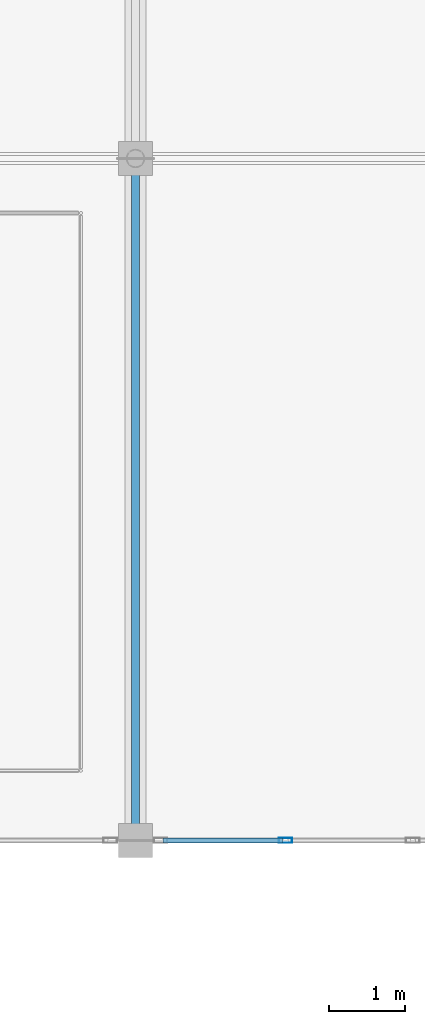
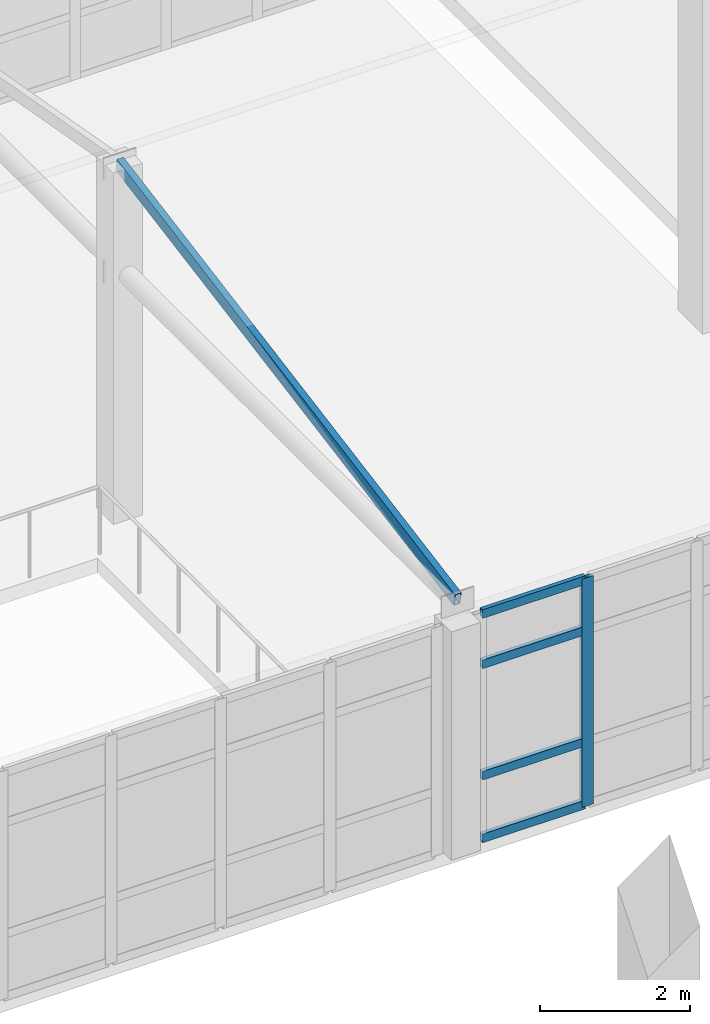
# One storey, part 47 of 156: 6 members, 1 element without a shape of its own.
"""IFC4 building model written with IfcOpenShell, lengths in metres."""

from ifc_helpers import new_model, si_unit, direction, frame, origin, origin_2d, place, context, subcontext, project, spatial, hollow_rectangle, extrude, material, layer, layer_set, material_profile, profile_set, type_object, element, aggregate, save


model = new_model("IFC4")

# Units and contexts
model_context = context("Model", 3, precision=1e-05, world=origin(), true_north=direction((0.0, 1.0)))
body_context = subcontext(model_context, "Body", "Model", "MODEL_VIEW")
ifc_project = project(units=[si_unit("LENGTHUNIT", "METRE"), si_unit("AREAUNIT", "SQUARE_METRE"), si_unit("VOLUMEUNIT", "CUBIC_METRE"), si_unit("PLANEANGLEUNIT", "RADIAN"), si_unit("MASSUNIT", "GRAM", prefix="KILO")], contexts=[model_context])

# Site, building, storey
site_placement = place(None, origin())
site = spatial("IfcSite", under=ifc_project, at=site_placement, CompositionType="ELEMENT")
building_placement = place(site_placement, origin())
building = spatial("IfcBuilding", under=site, at=building_placement, Name="Ornek Quay Market", CompositionType="ELEMENT")
storey_placement = place(building_placement, frame((0.0, 0.0, 4.5)))
storey = spatial("IfcBuildingStorey", under=building, at=storey_placement, Name="L01", CompositionType="ELEMENT", Elevation=4.5)

# Curtain wall, members
ifc_material_1 = material(Name="Anodised bronze aluminium and triple low-e glass", Category="aluminium")
ifc_layer = layer(ifc_material_1, 0.199951171875, Name="Anodised bronze aluminium and triple low-e glass", Category="aluminium")
ifc_layer_set = layer_set([ifc_layer], Name="Anodised bronze aluminium and triple low-e glass")
curtain_wall_type = type_object("IfcCurtainWallType", Name="CW-CONC-MOD1800", PredefinedType="USERDEFINED", material=ifc_layer_set)
curtain_wall_placement = place(storey_placement, origin())
curtain_wall = element("IfcCurtainWall", 1, at=curtain_wall_placement, inside=storey, type_object=curtain_wall_type, Name="Curtain wall CW-022", ObjectType="CURTAIN WALL", PredefinedType="USERDEFINED")
ifc_material_2 = material(Name="Anodised aluminium 6063-T6", Category="aluminium")
ifc_material_profile_1 = material_profile(ifc_material_2, hollow_rectangle(XDim=0.06494140625, YDim=0.179931640625, WallThickness=0.00439453125, at=origin_2d()), Name="CW-MUL-65x180", Category="aluminium")
ifc_profile_set_1 = profile_set([ifc_material_profile_1], Name="Anodised aluminium 6063-T6")
member_type_1 = type_object("IfcMemberType", Name="CW-MUL-65x180", PredefinedType="MULLION", material=ifc_profile_set_1)
member_1_placement = place(storey_placement, frame((46.97998046875, 92.0, 0.0), z_axis=(0.0, 0.0, 1.0), x_axis=(0.0, 1.0, 0.0)))
member_1 = element("IfcMember", 2, at=member_1_placement, type_object=member_type_1, Name="CW-022 mullion 2", PredefinedType="MULLION", context=body_context, shape_type="SweptSolid", body=[
    extrude(hollow_rectangle(XDim=0.06494140625, YDim=0.179931640625, WallThickness=0.00439453125, at=origin_2d()), origin(), (0.0, 0.0, 1.0), 3.7099609375),
])
ifc_material_profile_2 = material_profile(ifc_material_2, hollow_rectangle(XDim=0.06494140625, YDim=0.139892578125, WallThickness=0.00439453125, at=origin_2d()), Name="CW-TRN-65x140", Category="aluminium")
ifc_profile_set_2 = profile_set([ifc_material_profile_2], Name="Anodised aluminium 6063-T6")
member_type_2 = type_object("IfcMemberType", Name="CW-TRN-65x140", PredefinedType="USERDEFINED", material=ifc_profile_set_2)
member_2_placement = place(storey_placement, frame((45.364990234375, 92.0, 0.032470703125), z_axis=(1.0, 0.0, 0.0), x_axis=(0.0, 1.0, 0.0)))
member_2 = element("IfcMember", 3, at=member_2_placement, type_object=member_type_2, Name="CW-022 transom 1.1", ObjectType="TRANSOM", PredefinedType="USERDEFINED", context=body_context, shape_type="SweptSolid", body=[
    extrude(hollow_rectangle(XDim=0.06494140625, YDim=0.139892578125, WallThickness=0.00439453125, at=origin_2d()), origin(), (0.0, 0.0, 1.0), 1.58251953125),
])
member_3_placement = place(storey_placement, frame((45.364990234375, 92.0, 1.050048828125), z_axis=(1.0, 0.0, 0.0), x_axis=(0.0, 1.0, 0.0)))
member_3 = element("IfcMember", 4, at=member_3_placement, type_object=member_type_2, Name="CW-022 transom 1.2", ObjectType="TRANSOM", PredefinedType="USERDEFINED", context=body_context, shape_type="SweptSolid", body=[
    extrude(hollow_rectangle(XDim=0.06494140625, YDim=0.139892578125, WallThickness=0.00439453125, at=origin_2d()), origin(), (0.0, 0.0, 1.0), 1.58251953125),
])
member_4_placement = place(storey_placement, frame((45.364990234375, 92.0, 2.860107421875), z_axis=(1.0, 0.0, 0.0), x_axis=(0.0, 1.0, 0.0)))
member_4 = element("IfcMember", 5, at=member_4_placement, type_object=member_type_2, Name="CW-022 transom 1.3", ObjectType="TRANSOM", PredefinedType="USERDEFINED", context=body_context, shape_type="SweptSolid", body=[
    extrude(hollow_rectangle(XDim=0.06494140625, YDim=0.139892578125, WallThickness=0.00439453125, at=origin_2d()), origin(), (0.0, 0.0, 1.0), 1.58251953125),
])
member_5_placement = place(storey_placement, frame((45.364990234375, 92.0, 3.677490234375), z_axis=(1.0, 0.0, 0.0), x_axis=(0.0, 1.0, 0.0)))
member_5 = element("IfcMember", 6, at=member_5_placement, type_object=member_type_2, Name="CW-022 transom 1.4", ObjectType="TRANSOM", PredefinedType="USERDEFINED", context=body_context, shape_type="SweptSolid", body=[
    extrude(hollow_rectangle(XDim=0.06494140625, YDim=0.139892578125, WallThickness=0.00439453125, at=origin_2d()), origin(), (0.0, 0.0, 1.0), 1.58251953125),
])
aggregate(curtain_wall, [member_1, member_2, member_3, member_4, member_5])

# Member
ifc_material_3 = material(Name="Steel S355", Category="steel")
ifc_material_profile_3 = material_profile(ifc_material_3, hollow_rectangle(XDim=0.10009765625, YDim=0.199951171875, WallThickness=0.008056640625, at=origin_2d()), Name="MBR-RAF-100x200", Category="steel")
ifc_profile_set_3 = profile_set([ifc_material_profile_3], Name="Steel S355")
member_type_3 = type_object("IfcMemberType", Name="MBR-RAF-100x200", PredefinedType="RAFTER", material=ifc_profile_set_3)
member_6_placement = place(storey_placement, frame((45.0, 92.0, 4.030029296875), z_axis=(0.0, 0.984185744367, 0.177139551158), x_axis=(-1.0, 0.0, 0.0)))
element("IfcMember", 7, at=member_6_placement, inside=storey, type_object=member_type_3, Name="Concourse skylight rafter W-45-S", PredefinedType="RAFTER", context=body_context, shape_type="SweptSolid", body=[
    extrude(hollow_rectangle(XDim=0.10009765625, YDim=0.199951171875, WallThickness=0.008056640625, at=origin_2d()), origin(), (0.0, 0.0, 1.0), 9.14453125),
])

save(model, "model.ifc")
